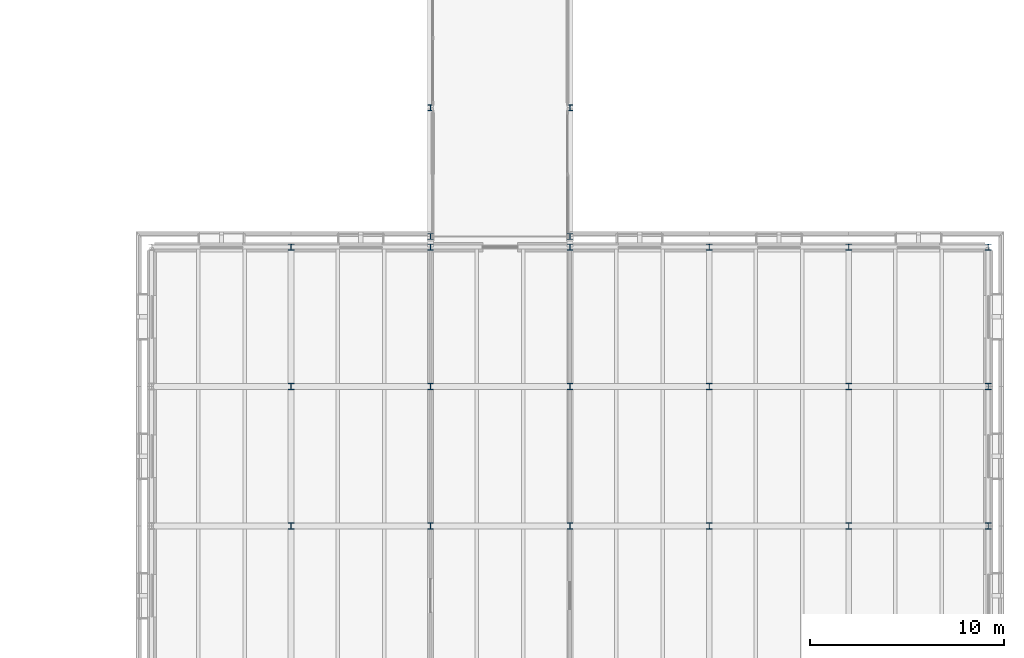
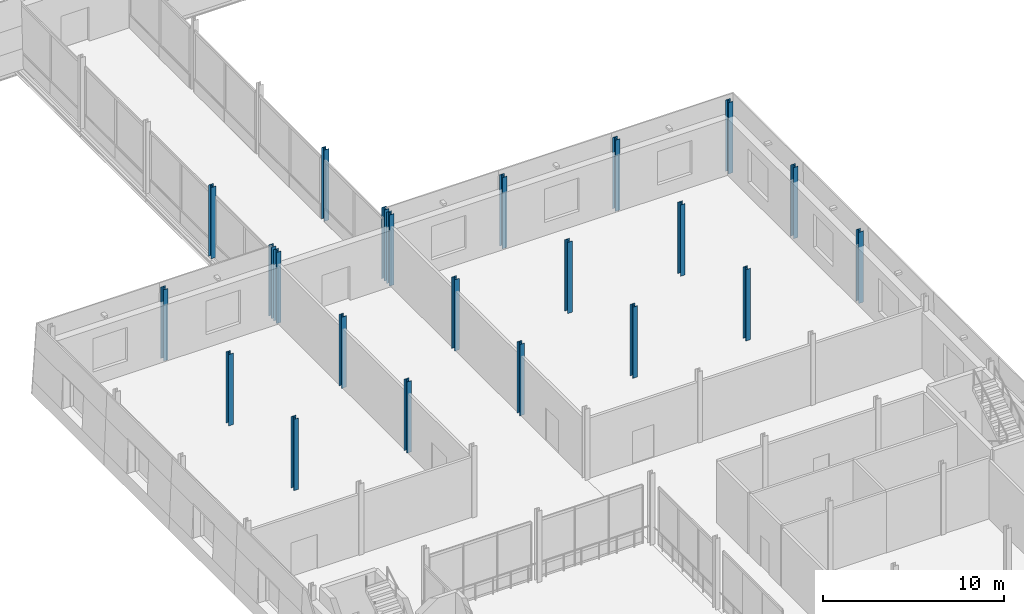
# One storey, part 18 of 121: 22 columns.
"""IFC4 building model written with IfcOpenShell, lengths in metres."""

from ifc_helpers import new_model, si_unit, direction, frame, origin, origin_2d, place, context, subcontext, project, spatial, i_section, extrude, material, material_profile, profile_set, type_object, element, save


model = new_model("IFC4")

# Units and contexts
model_context = context("Model", 3, precision=1e-05, world=origin(), true_north=direction((0.0, 1.0)))
body_context = subcontext(model_context, "Body", "Model", "MODEL_VIEW")
ifc_project = project(units=[si_unit("LENGTHUNIT", "METRE"), si_unit("AREAUNIT", "SQUARE_METRE"), si_unit("VOLUMEUNIT", "CUBIC_METRE"), si_unit("PLANEANGLEUNIT", "RADIAN"), si_unit("MASSUNIT", "GRAM", prefix="KILO")], contexts=[model_context])

# Site, building, storey
site_placement = place(None, origin())
site = spatial("IfcSite", under=ifc_project, at=site_placement, CompositionType="ELEMENT")
building_placement = place(site_placement, origin())
building = spatial("IfcBuilding", under=site, at=building_placement, Name="Narikvali Park Central Library", CompositionType="ELEMENT")
storey_placement = place(building_placement, frame((0.0, 0.0, 5.39990234375)))
storey = spatial("IfcBuildingStorey", under=building, at=storey_placement, Name="L01", CompositionType="ELEMENT", Elevation=5.39990234375)

# Columns
ifc_material = material(Name="Steel S355", Category="steel")
ifc_material_profile_1 = material_profile(ifc_material, i_section(OverallWidth=0.300048828125, OverallDepth=0.300048828125, WebThickness=0.010986328125, FlangeThickness=0.01904296875, FilletRadius=0.027099609375, at=origin_2d()), Name="HEB 300")
ifc_profile_set_1 = profile_set([ifc_material_profile_1], Name="Steel S355")
column_type_1 = type_object("IfcColumnType", Name="Steel Column HEB300", PredefinedType="COLUMN", material=ifc_profile_set_1)
for number, where, z_axis, x_axis, name in (
    (1, (136.800048828125, 50.949951171875, 0.0), (0.0, 0.0, 1.0), (1.0, 0.0, 0.0), "BRG-4 Bridge Pier L01"),
    (2, (144.0, 50.949951171875, 0.0), (0.0, 0.0, 1.0), (1.0, 0.0, 0.0), "BRG-4 Bridge Pier L01"),
    (3, (136.800048828125, 57.60009765625, 0.0), (0.0, 0.0, 1.0), (1.0, 0.0, 0.0), "BRG-4 Bridge Pier L01"),
    (4, (144.0, 57.60009765625, 0.0), (0.0, 0.0, 1.0), (1.0, 0.0, 0.0), "BRG-4 Bridge Pier L01"),
):
    element("IfcColumn", number, at=place(storey_placement, frame(where, z_axis=z_axis, x_axis=x_axis)), inside=storey, type_object=column_type_1, Name=name, PredefinedType="COLUMN", context=body_context, shape_type="SweptSolid", body=[
        extrude(i_section(OverallWidth=0.300048828125, OverallDepth=0.300048828125, WebThickness=0.010986328125, FlangeThickness=0.01904296875, FilletRadius=0.027099609375, at=origin_2d()), origin(), (0.0, 0.0, 1.0), 4.800048828125),
    ])
ifc_material_profile_2 = material_profile(ifc_material, i_section(OverallWidth=0.300048828125, OverallDepth=0.320068359375, WebThickness=0.011474609375, FlangeThickness=0.0205078125, FilletRadius=0.027099609375, at=origin_2d()), Name="HEB 320")
ifc_profile_set_2 = profile_set([ifc_material_profile_2], Name="Steel S355")
column_type_2 = type_object("IfcColumnType", Name="Steel Column HEB320", PredefinedType="COLUMN", material=ifc_profile_set_2)
for number, where, z_axis, x_axis, name in (
    (5, (129.60009765625, 36.0, 0.0), (0.0, 0.0, 1.0), (1.0, 0.0, 0.0), "V6 L01 Column (129.6,36.0)"),
    (6, (129.60009765625, 43.199951171875, 0.0), (0.0, 0.0, 1.0), (1.0, 0.0, 0.0), "V6 L01 Column (129.6,43.2)"),
    (7, (129.60009765625, 50.39990234375, 0.0), (0.0, 0.0, 1.0), (1.0, 0.0, 0.0), "V6 L01 Column (129.6,50.4)"),
    (8, (136.800048828125, 36.0, 0.0), (0.0, 0.0, 1.0), (1.0, 0.0, 0.0), "V6 L01 Column (136.8,36.0)"),
    (9, (136.800048828125, 43.199951171875, 0.0), (0.0, 0.0, 1.0), (1.0, 0.0, 0.0), "V6 L01 Column (136.8,43.2)"),
    (10, (136.800048828125, 50.39990234375, 0.0), (0.0, 0.0, 1.0), (1.0, 0.0, 0.0), "V6 L01 Column (136.8,50.4)"),
    (11, (144.0, 36.0, 0.0), (0.0, 0.0, 1.0), (1.0, 0.0, 0.0), "V6 L01 Column (144.0,36.0)"),
    (12, (144.0, 43.199951171875, 0.0), (0.0, 0.0, 1.0), (1.0, 0.0, 0.0), "V6 L01 Column (144.0,43.2)"),
    (13, (144.0, 50.39990234375, 0.0), (0.0, 0.0, 1.0), (1.0, 0.0, 0.0), "V6 L01 Column (144.0,50.4)"),
    (14, (151.199951171875, 36.0, 0.0), (0.0, 0.0, 1.0), (1.0, 0.0, 0.0), "V6 L01 Column (151.2,36.0)"),
    (15, (151.199951171875, 43.199951171875, 0.0), (0.0, 0.0, 1.0), (1.0, 0.0, 0.0), "V6 L01 Column (151.2,43.2)"),
    (16, (151.199951171875, 50.39990234375, 0.0), (0.0, 0.0, 1.0), (1.0, 0.0, 0.0), "V6 L01 Column (151.2,50.4)"),
    (17, (158.39990234375, 36.0, 0.0), (0.0, 0.0, 1.0), (1.0, 0.0, 0.0), "V6 L01 Column (158.4,36.0)"),
    (18, (158.39990234375, 43.199951171875, 0.0), (0.0, 0.0, 1.0), (1.0, 0.0, 0.0), "V6 L01 Column (158.4,43.2)"),
    (19, (158.39990234375, 50.39990234375, 0.0), (0.0, 0.0, 1.0), (1.0, 0.0, 0.0), "V6 L01 Column (158.4,50.4)"),
    (20, (165.60009765625, 36.0, 0.0), (0.0, 0.0, 1.0), (1.0, 0.0, 0.0), "V6 L01 Column (165.6,36.0)"),
    (21, (165.60009765625, 43.199951171875, 0.0), (0.0, 0.0, 1.0), (1.0, 0.0, 0.0), "V6 L01 Column (165.6,43.2)"),
    (22, (165.60009765625, 50.39990234375, 0.0), (0.0, 0.0, 1.0), (1.0, 0.0, 0.0), "V6 L01 Column (165.6,50.4)"),
):
    element("IfcColumn", number, at=place(storey_placement, frame(where, z_axis=z_axis, x_axis=x_axis)), inside=storey, type_object=column_type_2, Name=name, PredefinedType="COLUMN", context=body_context, shape_type="SweptSolid", body=[
        extrude(i_section(OverallWidth=0.300048828125, OverallDepth=0.320068359375, WebThickness=0.011474609375, FlangeThickness=0.0205078125, FilletRadius=0.027099609375, at=origin_2d()), origin(), (0.0, 0.0, 1.0), 4.800048828125),
    ])

save(model, "model.ifc")
